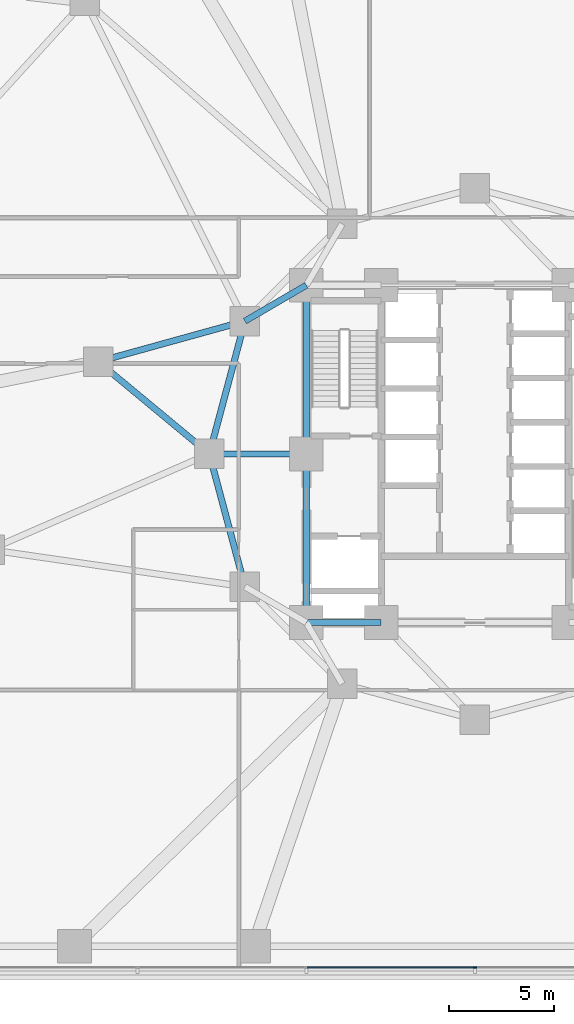
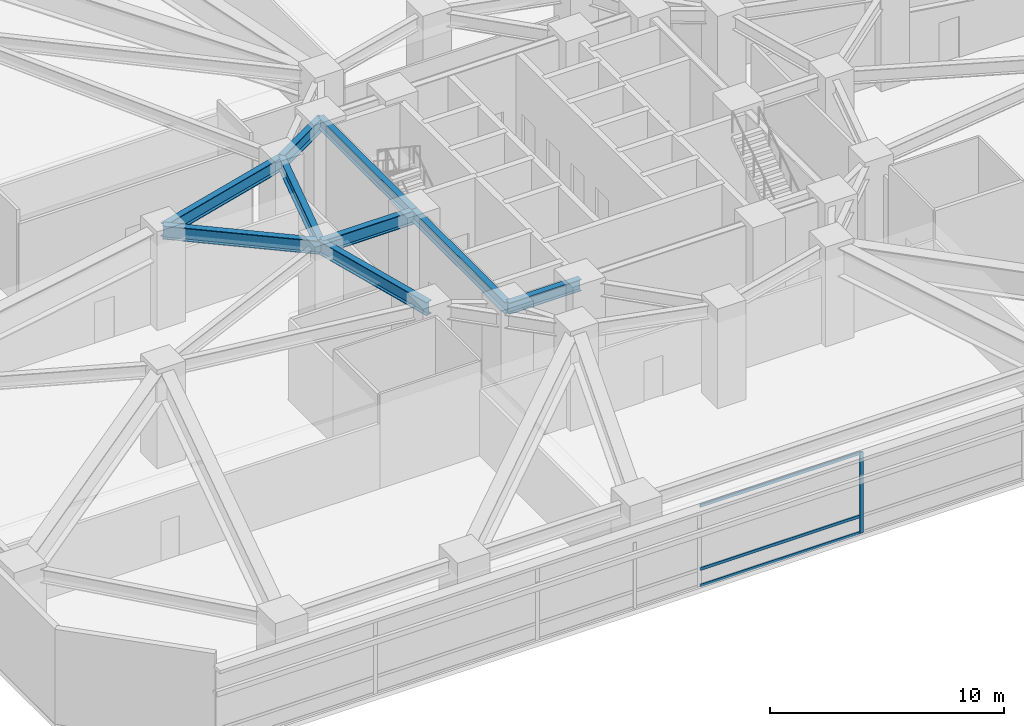
# One storey, part 6 of 27: 9 beams, 4 members, 1 element without a shape of its own.
"""IFC4 building model written with IfcOpenShell, lengths in metres."""

import ifcopenshell
import ifcopenshell.guid

model = None  # the IFC model being written
_history = None  # IfcOwnerHistory: only IFC2X3 demands one
_inside = {}  # id of a spatial element -> (the spatial element, [elements in it])
_under = {}  # id of a project, library or spatial element -> (it, [spatial elements below it])
_declared = {}  # id of a project -> (the project, [libraries it declares])
_typed = {}  # id of a type object -> (the type object, [elements of that type])
_made_of = {}  # id of a material, layer set ... -> (it, [elements and type objects made of it])


def new_model(schema):
    """Start an empty IFC model of exactly this schema.

    Asked for "IFC4X3", IfcOpenShell would pick the latest addendum, in which some entities
    have other attributes; the version numbers below select the first issue.
    IFC2X3 requires an IfcOwnerHistory on every rooted entity: one is made here for all.
    """
    global model, _history
    if schema == "IFC4X3":
        model = ifcopenshell.file(schema_version=(4, 3, 0, 0))
    else:
        model = ifcopenshell.file(schema=schema)
    _inside.clear()
    _under.clear()
    _declared.clear()
    _typed.clear()
    _made_of.clear()
    _history = None
    if model.schema == "IFC2X3":
        org = make("IfcOrganization", Name="unknown")
        user = make(
            "IfcPersonAndOrganization",
            ThePerson=make("IfcPerson", FamilyName="unknown"),
            TheOrganization=org,
        )
        app = make(
            "IfcApplication",
            ApplicationDeveloper=org,
            Version="unknown",
            ApplicationFullName="unknown",
            ApplicationIdentifier="unknown",
        )
        _history = make(
            "IfcOwnerHistory",
            OwningUser=user,
            OwningApplication=app,
            ChangeAction="ADDED",
            CreationDate=0,
        )
    return model


def make(cls, **values):
    """One entity of the class cls with the attributes given. An attribute that is None is left unset."""
    return model.create_entity(
        cls, **{name: value for name, value in values.items() if value is not None}
    )


def rooted(cls, **values):
    """An entity with a GlobalId (a new one), such as an element, a storey or a relation."""
    return make(cls, GlobalId=ifcopenshell.guid.new(), OwnerHistory=_history, **values)


def si_unit(unit_type, name, prefix=None):
    """IfcSIUnit, for example si_unit("LENGTHUNIT", "METRE", prefix="MILLI")."""
    return make("IfcSIUnit", UnitType=unit_type, Prefix=prefix, Name=name)


def assignment(units):
    """IfcUnitAssignment: the units of a project."""
    return None if units is None else make("IfcUnitAssignment", Units=units)


def point(xyz):
    """IfcCartesianPoint."""
    return None if xyz is None else make("IfcCartesianPoint", Coordinates=xyz)


def direction(xyz):
    """IfcDirection."""
    return None if xyz is None else make("IfcDirection", DirectionRatios=xyz)


def frame(location, z_axis=None, x_axis=None):
    """IfcAxis2Placement3D, a coordinate frame: its origin and axes. An axis left out is left unset."""
    return make(
        "IfcAxis2Placement3D",
        Location=point(location),
        Axis=direction(z_axis),
        RefDirection=direction(x_axis),
    )


def frame_2d(location, x_axis=None):
    """IfcAxis2Placement2D, a coordinate frame in the plane: its origin and x axis."""
    return make(
        "IfcAxis2Placement2D", Location=point(location), RefDirection=direction(x_axis)
    )


def origin():
    """The frame at (0, 0, 0) with its axes left unset."""
    return frame((0.0, 0.0, 0.0))


def origin_2d():
    """The frame at (0, 0) in the plane with its x axis left unset."""
    return frame_2d((0.0, 0.0))


def place(relative_to, where):
    """IfcLocalPlacement: puts the frame where relative to a parent placement (None: the world)."""
    return make(
        "IfcLocalPlacement", PlacementRelTo=relative_to, RelativePlacement=where
    )


def context(
    kind, dimensions, precision=None, world=None, true_north=None, identifier=None
):
    """IfcGeometricRepresentationContext, for example the 3D "Model" context."""
    return make(
        "IfcGeometricRepresentationContext",
        ContextIdentifier=identifier,
        ContextType=kind,
        CoordinateSpaceDimension=dimensions,
        Precision=precision,
        WorldCoordinateSystem=world,
        TrueNorth=true_north,
    )


def subcontext(parent, identifier, kind, view, scale=None):
    """IfcGeometricRepresentationSubContext, for example "Body" below "Model"."""
    return make(
        "IfcGeometricRepresentationSubContext",
        ContextIdentifier=identifier,
        ContextType=kind,
        ParentContext=parent,
        TargetScale=scale,
        TargetView=view,
    )


def project(units=None, contexts=None):
    """IfcProject with its units and contexts."""
    return rooted(
        "IfcProject",
        Name="project",
        RepresentationContexts=contexts,
        UnitsInContext=assignment(units),
    )


def spatial(cls, under=None, at=None, **own):
    """A site, building, storey or space (cls), placed at a placement, below another one or the project."""
    s = rooted(cls, ObjectPlacement=at, **own)
    if under is not None:
        _under.setdefault(under.id(), (under, []))[1].append(s)
    return s


def profile(cls, at=None, kind="AREA", **sizes):
    """A parametric profile (cls). Its sizes go by their IFC names, for example OverallWidth=200.0."""
    return make(cls, ProfileType=kind, Position=at, **sizes)


def rectangle(**sizes):
    """IfcRectangleProfileDef."""
    return profile("IfcRectangleProfileDef", **sizes)


def i_section(**sizes):
    """IfcIShapeProfileDef."""
    return profile("IfcIShapeProfileDef", **sizes)


def extrude(swept, where, along, depth):
    """IfcExtrudedAreaSolid: the profile swept, set in the frame where, extruded along a direction by depth."""
    return make(
        "IfcExtrudedAreaSolid",
        SweptArea=swept,
        Position=where,
        ExtrudedDirection=direction(along),
        Depth=depth,
    )


def shape(context_of_items, identifier, shape_type, items):
    """IfcShapeRepresentation: the items that make up one representation, for example the "Body"."""
    return make(
        "IfcShapeRepresentation",
        ContextOfItems=context_of_items,
        RepresentationIdentifier=identifier,
        RepresentationType=shape_type,
        Items=items,
    )


def material(Name=None, Category=None):
    """IfcMaterial."""
    return make("IfcMaterial", Name=Name, Category=Category)


def layer(
    of_material, thickness, ventilated=None, Name=None, Category=None, Priority=None
):
    """IfcMaterialLayer: one layer of a wall or slab, of a material (None: an air gap)."""
    return make(
        "IfcMaterialLayer",
        Material=of_material,
        LayerThickness=thickness,
        IsVentilated=ventilated,
        Name=Name,
        Category=Category,
        Priority=Priority,
    )


def layer_set(layers, Name=None):
    """IfcMaterialLayerSet."""
    return make("IfcMaterialLayerSet", MaterialLayers=layers, LayerSetName=Name)


def material_profile(
    of_material, cross_section, Name=None, Category=None, Priority=None
):
    """IfcMaterialProfile: a cross section and its material."""
    return make(
        "IfcMaterialProfile",
        Name=Name,
        Material=of_material,
        Profile=cross_section,
        Priority=Priority,
        Category=Category,
    )


def profile_set(profiles, Name=None, composite=None):
    """IfcMaterialProfileSet."""
    return make(
        "IfcMaterialProfileSet",
        Name=Name,
        MaterialProfiles=profiles,
        CompositeProfile=composite,
    )


def made_of(thing, what):
    """Note that an element or type object is made of a material, layer set ...; save() writes the relation."""
    if what is not None:
        _made_of.setdefault(what.id(), (what, []))[1].append(thing)
    return thing


def type_object(cls, material=None, **own):
    """A type object (cls), such as IfcWallType, which elements share."""
    return made_of(rooted(cls, **own), material)


def element(
    cls,
    number,
    at=None,
    inside=None,
    cuts=None,
    type_object=None,
    material=None,
    context=None,
    identifier="Body",
    shape_type=None,
    held_by="IfcProductDefinitionShape",
    body=None,
    shapes=None,
    **own,
):
    """One element of the class cls, such as IfcWall. Its Tag is "e" and its number.

    at: its placement. inside: the storey or other place that contains it. cuts: it is an
    opening in that element (IfcRelVoidsElement). A single representation is given by context,
    identifier, shape_type and body (its items); several are given by shapes. held_by: the class
    of the entity that holds the representations. save() writes the other relations.
    """
    e = rooted(cls, Tag="e%d" % number, ObjectPlacement=at, **own)
    if body is not None:
        shapes = [shape(context, identifier, shape_type, body)]
    if shapes is not None:
        e.Representation = make(held_by, Representations=shapes)
    if inside is not None:
        _inside.setdefault(inside.id(), (inside, []))[1].append(e)
    if cuts is not None:
        rooted(
            "IfcRelVoidsElement", RelatingBuildingElement=cuts, RelatedOpeningElement=e
        )
    if type_object is not None:
        _typed.setdefault(type_object.id(), (type_object, []))[1].append(e)
    return made_of(e, material)


def aggregate(whole, parts):
    """IfcRelAggregates: a whole, such as a stair, and the parts it consists of."""
    return rooted("IfcRelAggregates", RelatingObject=whole, RelatedObjects=parts)


def save(model, path):
    """Write the relations noted so far, then the file.

    IfcRelAggregates (storeys below a building ...), IfcRelContainedInSpatialStructure (elements
    in a storey), IfcRelDefinesByType, IfcRelAssociatesMaterial and IfcRelDeclares: one each for
    every whole, place, type object, material and project.
    """
    for whole, parts in _under.values():
        aggregate(whole, parts)
    for where, things in _inside.values():
        rooted(
            "IfcRelContainedInSpatialStructure",
            RelatedElements=things,
            RelatingStructure=where,
        )
    for kind, things in _typed.values():
        rooted("IfcRelDefinesByType", RelatedObjects=things, RelatingType=kind)
    for what, things in _made_of.values():
        rooted("IfcRelAssociatesMaterial", RelatedObjects=things, RelatingMaterial=what)
    for by, libraries in _declared.values():
        rooted("IfcRelDeclares", RelatingContext=by, RelatedDefinitions=libraries)
    model.write(path)


model = new_model("IFC4")

# Units and contexts
model_context = context("Model", 3, precision=1e-05, world=origin(), true_north=direction((0.0, 1.0)))
body_context = subcontext(model_context, "Body", "Model", "MODEL_VIEW")
ifc_project = project(units=[si_unit("LENGTHUNIT", "METRE"), si_unit("AREAUNIT", "SQUARE_METRE"), si_unit("VOLUMEUNIT", "CUBIC_METRE"), si_unit("PLANEANGLEUNIT", "RADIAN"), si_unit("MASSUNIT", "GRAM", prefix="KILO")], contexts=[model_context])

# Site, building, storey
site_placement = place(None, origin())
site = spatial("IfcSite", under=ifc_project, at=site_placement, CompositionType="ELEMENT")
building_placement = place(site_placement, origin())
building = spatial("IfcBuilding", under=site, at=building_placement, Name="Terralouvre Media Tower", CompositionType="ELEMENT")
storey_placement = place(building_placement, frame((0.0, 0.0, 5.199951171875)))
storey = spatial("IfcBuildingStorey", under=building, at=storey_placement, Name="L01", CompositionType="ELEMENT", Elevation=5.199951171875)

# Curtain wall, members
ifc_material_1 = material(Name="Low-iron laminated double glazing with solar-control coating", Category="glass")
ifc_layer = layer(ifc_material_1, 0.1650390625, Name="Podium Broadcast Gallery Glazing CW-01")
ifc_layer_set = layer_set([ifc_layer], Name="Low-iron laminated double glazing with solar-control coating")
curtain_wall_type = type_object("IfcCurtainWallType", Name="Podium Broadcast Gallery Glazing CW-01", PredefinedType="NOTDEFINED", material=ifc_layer_set)
curtain_wall_placement = place(storey_placement, origin())
curtain_wall = element("IfcCurtainWall", 1, at=curtain_wall_placement, inside=storey, type_object=curtain_wall_type, Name="L01 Podium Curtain Wall F0", PredefinedType="NOTDEFINED")
ifc_material_2 = material(Name="Anodised extruded aluminium 6063-T6", Category="aluminium")
ifc_material_profile_1 = material_profile(ifc_material_2, rectangle(XDim=0.074951171875, YDim=0.14990234375, at=origin_2d()), Name="ALU 75x150")
ifc_profile_set_1 = profile_set([ifc_material_profile_1], Name="Anodised extruded aluminium 6063-T6")
member_type_1 = type_object("IfcMemberType", Name="Curtain-Wall Horizontal Transom TR-150", PredefinedType="USERDEFINED", material=ifc_profile_set_1)
member_1_placement = place(storey_placement, frame((-7.96240234375, -24.360107421875, 0.03759765625), z_axis=(1.0, 0.0, 0.0), x_axis=(0.0, 1.0, 0.0)))
member_1 = element("IfcMember", 2, at=member_1_placement, type_object=member_type_1, Name="CW-01 transom 4.1", ObjectType="TRANSOM", PredefinedType="USERDEFINED", context=body_context, shape_type="SweptSolid", body=[
    extrude(rectangle(XDim=0.074951171875, YDim=0.14990234375, at=origin_2d()), origin(), (0.0, 0.0, 1.0), 7.9248046875),
])
member_2_placement = place(storey_placement, frame((-7.96240234375, -24.360107421875, 0.900146484375), z_axis=(1.0, 0.0, 0.0), x_axis=(0.0, 1.0, 0.0)))
member_2 = element("IfcMember", 3, at=member_2_placement, type_object=member_type_1, Name="CW-01 transom 4.2", ObjectType="TRANSOM", PredefinedType="USERDEFINED", context=body_context, shape_type="SweptSolid", body=[
    extrude(rectangle(XDim=0.074951171875, YDim=0.14990234375, at=origin_2d()), origin(), (0.0, 0.0, 1.0), 7.9248046875),
])
member_3_placement = place(storey_placement, frame((-7.96240234375, -24.360107421875, 4.192626953125), z_axis=(1.0, 0.0, 0.0), x_axis=(0.0, 1.0, 0.0)))
member_3 = element("IfcMember", 4, at=member_3_placement, type_object=member_type_1, Name="CW-01 transom 4.3", ObjectType="TRANSOM", PredefinedType="USERDEFINED", context=body_context, shape_type="SweptSolid", body=[
    extrude(rectangle(XDim=0.074951171875, YDim=0.14990234375, at=origin_2d()), origin(), (0.0, 0.0, 1.0), 7.9248046875),
])
ifc_material_3 = material(Name="Anodised extruded aluminium 6063-T6", Category="aluminium")
ifc_material_profile_2 = material_profile(ifc_material_3, rectangle(XDim=0.074951171875, YDim=0.179931640625, at=origin_2d()), Name="ALU 75x180")
ifc_profile_set_2 = profile_set([ifc_material_profile_2], Name="Anodised extruded aluminium 6063-T6")
member_type_2 = type_object("IfcMemberType", Name="Curtain-Wall Vertical Mullion ML-180", PredefinedType="MULLION", material=ifc_profile_set_2)
member_4_placement = place(storey_placement, frame((0.0, -24.360107421875, 0.0), z_axis=(0.0, 0.0, 1.0), x_axis=(0.0, 1.0, 0.0)))
member_4 = element("IfcMember", 5, at=member_4_placement, type_object=member_type_2, Name="CW-01 mullion 5", PredefinedType="MULLION", context=body_context, shape_type="SweptSolid", body=[
    extrude(rectangle(XDim=0.074951171875, YDim=0.179931640625, at=origin_2d()), origin(), (0.0, 0.0, 1.0), 4.22998046875),
])
aggregate(curtain_wall, [member_4, member_1, member_2, member_3])

# Beams
ifc_material_4 = material(Name="Structural steel S460M", Category="steel")
ifc_material_profile_3 = material_profile(ifc_material_4, i_section(OverallWidth=0.300048828125, OverallDepth=0.60009765625, WebThickness=0.015380859375, FlangeThickness=0.030029296875, at=origin_2d()), Name="HEB 600")
ifc_profile_set_3 = profile_set([ifc_material_profile_3], Name="Structural steel S460M")
beam_type_1 = type_object("IfcBeamType", Name="Primary Floor Girder B-HEB600 (HEB 600)", PredefinedType="BEAM", material=ifc_profile_set_3)
beam_1_placement = place(storey_placement, frame((-8.0, -8.0, 4.650146484375), z_axis=(1.0, 0.0, 0.0), x_axis=(0.0, 1.0, 0.0)))
element("IfcBeam", 6, at=beam_1_placement, inside=storey, type_object=beam_type_1, Name="L01 Framing Beam BM-L01-CPR01", PredefinedType="BEAM", context=body_context, shape_type="SweptSolid", body=[
    extrude(i_section(OverallWidth=0.300048828125, OverallDepth=0.60009765625, WebThickness=0.015380859375, FlangeThickness=0.030029296875, at=origin_2d()), origin(), (0.0, 0.0, 1.0), 3.550048828125),
])
for number, where, z_axis, x_axis, name in (
    (7, (-8.0, 8.0, 4.650146484375), (0.0, -1.0, 0.0), (1.0, 0.0, 0.0), "L01 Framing Beam BM-L01-CPR09"),
    (8, (-8.0, 0.0, 4.650146484375), (0.0, -1.0, 0.0), (1.0, 0.0, 0.0), "L01 Framing Beam BM-L01-CPR10"),
):
    element("IfcBeam", number, at=place(storey_placement, frame(where, z_axis=z_axis, x_axis=x_axis)), inside=storey, type_object=beam_type_1, Name=name, PredefinedType="BEAM", context=body_context, shape_type="SweptSolid", body=[
        extrude(i_section(OverallWidth=0.300048828125, OverallDepth=0.60009765625, WebThickness=0.015380859375, FlangeThickness=0.030029296875, at=origin_2d()), origin(), (0.0, 0.0, 1.0), 8.0),
    ])
ifc_material_5 = material(Name="Structural steel S460M", Category="steel")
ifc_material_profile_4 = material_profile(ifc_material_5, i_section(OverallWidth=0.300048828125, OverallDepth=0.699951171875, WebThickness=0.01708984375, FlangeThickness=0.031982421875, at=origin_2d()), Name="HEB 700")
ifc_profile_set_4 = profile_set([ifc_material_profile_4], Name="Structural steel S460M")
beam_type_2 = type_object("IfcBeamType", Name="Primary Floor Girder B-HEB700 (HEB 700)", PredefinedType="BEAM", material=ifc_profile_set_4)
for number, where, z_axis, x_axis, name in (
    (9, (-10.911865234375, 6.300048828125, 4.60009765625), (-0.258838989821, -0.965920481897, 0.0), (0.965920481897, -0.258838989821, 0.0), "L01 Framing Beam BM-L01-MR11"),
    (10, (-12.60009765625, 0.0, 4.60009765625), (0.258838989821, -0.965920481897, 0.0), (0.965920481897, 0.258838989821, 0.0), "L01 Framing Beam BM-L01-MR12"),
):
    element("IfcBeam", number, at=place(storey_placement, frame(where, z_axis=z_axis, x_axis=x_axis)), inside=storey, type_object=beam_type_2, Name=name, PredefinedType="BEAM", context=body_context, shape_type="SweptSolid", body=[
        extrude(i_section(OverallWidth=0.300048828125, OverallDepth=0.699951171875, WebThickness=0.01708984375, FlangeThickness=0.031982421875, at=origin_2d()), origin(), (0.0, 0.0, 1.0), 6.522216796875),
    ])
beam_2_placement = place(storey_placement, frame((-8.0, 8.0, 4.60009765625), z_axis=(-0.863602894532, -0.504172629717, 0.0), x_axis=(0.504172629717, -0.863602894532, 0.0)))
element("IfcBeam", 11, at=beam_2_placement, inside=storey, type_object=beam_type_2, Name="L01 Framing Beam BM-L01-CM11", PredefinedType="BEAM", context=body_context, shape_type="SweptSolid", body=[
    extrude(i_section(OverallWidth=0.300048828125, OverallDepth=0.699951171875, WebThickness=0.01708984375, FlangeThickness=0.031982421875, at=origin_2d()), origin(), (0.0, 0.0, 1.0), 3.371826171875),
])
beam_3_placement = place(storey_placement, frame((-8.0, 0.0, 4.60009765625), z_axis=(-1.0, 0.0, 0.0), x_axis=(0.0, -1.0, 0.0)))
element("IfcBeam", 12, at=beam_3_placement, inside=storey, type_object=beam_type_2, Name="L01 Framing Beam BM-L01-CM12", PredefinedType="BEAM", context=body_context, shape_type="SweptSolid", body=[
    extrude(i_section(OverallWidth=0.300048828125, OverallDepth=0.699951171875, WebThickness=0.01708984375, FlangeThickness=0.031982421875, at=origin_2d()), origin(), (0.0, 0.0, 1.0), 4.60009765625),
])
beam_4_placement = place(storey_placement, frame((-12.60009765625, 0.0, 4.60009765625), z_axis=(-0.769816459478, 0.638265320001, 0.0), x_axis=(-0.638265320001, -0.769816459478, 0.0)))
element("IfcBeam", 13, at=beam_4_placement, inside=storey, type_object=beam_type_2, Name="L01 Framing Beam BM-L01-PM23M1", PredefinedType="BEAM", context=body_context, shape_type="SweptSolid", body=[
    extrude(i_section(OverallWidth=0.300048828125, OverallDepth=0.699951171875, WebThickness=0.01708984375, FlangeThickness=0.031982421875, at=origin_2d()), origin(), (0.0, 0.0, 1.0), 6.851806640625),
])
beam_5_placement = place(storey_placement, frame((-10.911865234375, 6.300048828125, 4.60009765625), z_axis=(-0.963780816717, -0.266695589254, 0.0), x_axis=(0.266695589254, -0.963780816717, 0.0)))
element("IfcBeam", 14, at=beam_5_placement, inside=storey, type_object=beam_type_2, Name="L01 Framing Beam BM-L01-PM23M2", PredefinedType="BEAM", context=body_context, shape_type="SweptSolid", body=[
    extrude(i_section(OverallWidth=0.300048828125, OverallDepth=0.699951171875, WebThickness=0.01708984375, FlangeThickness=0.031982421875, at=origin_2d()), origin(), (0.0, 0.0, 1.0), 7.224609375),
])

save(model, "model.ifc")
